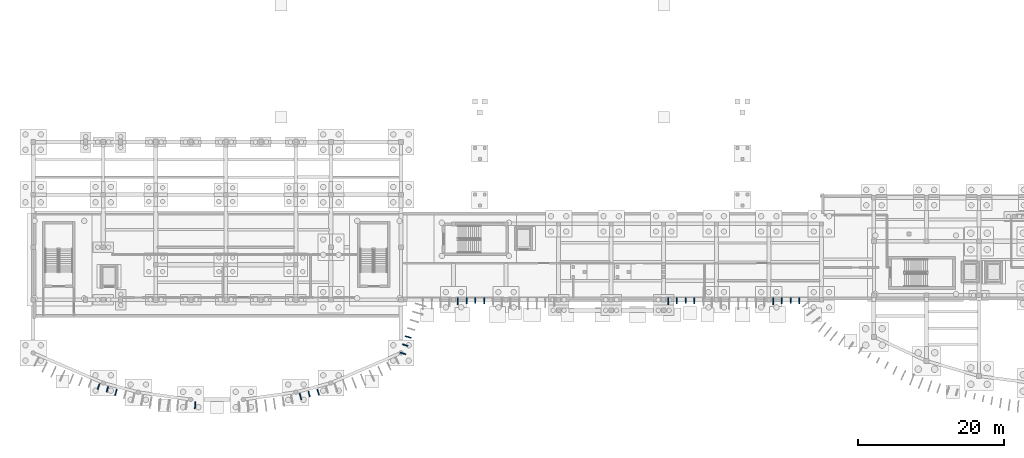
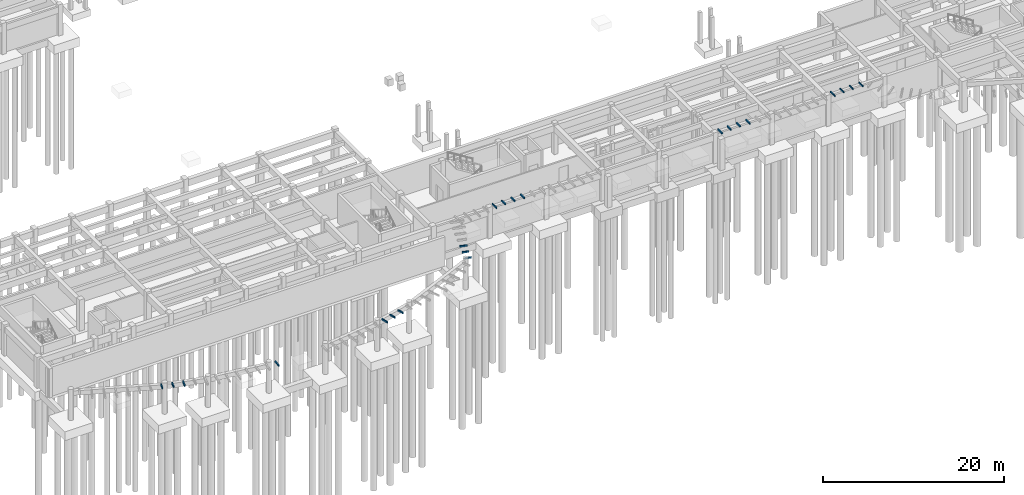
# One storey, part 23 of 31: 22 discrete accessories.
"""IFC4 building model written with IfcOpenShell, lengths in metres."""

import ifcopenshell
import ifcopenshell.guid

model = None  # the IFC model being written
_history = None  # IfcOwnerHistory: only IFC2X3 demands one
_inside = {}  # id of a spatial element -> (the spatial element, [elements in it])
_under = {}  # id of a project, library or spatial element -> (it, [spatial elements below it])
_declared = {}  # id of a project -> (the project, [libraries it declares])
_typed = {}  # id of a type object -> (the type object, [elements of that type])
_made_of = {}  # id of a material, layer set ... -> (it, [elements and type objects made of it])


def new_model(schema):
    """Start an empty IFC model of exactly this schema.

    Asked for "IFC4X3", IfcOpenShell would pick the latest addendum, in which some entities
    have other attributes; the version numbers below select the first issue.
    IFC2X3 requires an IfcOwnerHistory on every rooted entity: one is made here for all.
    """
    global model, _history
    if schema == "IFC4X3":
        model = ifcopenshell.file(schema_version=(4, 3, 0, 0))
    else:
        model = ifcopenshell.file(schema=schema)
    _inside.clear()
    _under.clear()
    _declared.clear()
    _typed.clear()
    _made_of.clear()
    _history = None
    if model.schema == "IFC2X3":
        org = make("IfcOrganization", Name="unknown")
        user = make(
            "IfcPersonAndOrganization",
            ThePerson=make("IfcPerson", FamilyName="unknown"),
            TheOrganization=org,
        )
        app = make(
            "IfcApplication",
            ApplicationDeveloper=org,
            Version="unknown",
            ApplicationFullName="unknown",
            ApplicationIdentifier="unknown",
        )
        _history = make(
            "IfcOwnerHistory",
            OwningUser=user,
            OwningApplication=app,
            ChangeAction="ADDED",
            CreationDate=0,
        )
    return model


def make(cls, **values):
    """One entity of the class cls with the attributes given. An attribute that is None is left unset."""
    return model.create_entity(
        cls, **{name: value for name, value in values.items() if value is not None}
    )


def rooted(cls, **values):
    """An entity with a GlobalId (a new one), such as an element, a storey or a relation."""
    return make(cls, GlobalId=ifcopenshell.guid.new(), OwnerHistory=_history, **values)


def si_unit(unit_type, name, prefix=None):
    """IfcSIUnit, for example si_unit("LENGTHUNIT", "METRE", prefix="MILLI")."""
    return make("IfcSIUnit", UnitType=unit_type, Prefix=prefix, Name=name)


def assignment(units):
    """IfcUnitAssignment: the units of a project."""
    return None if units is None else make("IfcUnitAssignment", Units=units)


def point(xyz):
    """IfcCartesianPoint."""
    return None if xyz is None else make("IfcCartesianPoint", Coordinates=xyz)


def direction(xyz):
    """IfcDirection."""
    return None if xyz is None else make("IfcDirection", DirectionRatios=xyz)


def frame(location, z_axis=None, x_axis=None):
    """IfcAxis2Placement3D, a coordinate frame: its origin and axes. An axis left out is left unset."""
    return make(
        "IfcAxis2Placement3D",
        Location=point(location),
        Axis=direction(z_axis),
        RefDirection=direction(x_axis),
    )


def frame_2d(location, x_axis=None):
    """IfcAxis2Placement2D, a coordinate frame in the plane: its origin and x axis."""
    return make(
        "IfcAxis2Placement2D", Location=point(location), RefDirection=direction(x_axis)
    )


def origin():
    """The frame at (0, 0, 0) with its axes left unset."""
    return frame((0.0, 0.0, 0.0))


def origin_2d():
    """The frame at (0, 0) in the plane with its x axis left unset."""
    return frame_2d((0.0, 0.0))


def place(relative_to, where):
    """IfcLocalPlacement: puts the frame where relative to a parent placement (None: the world)."""
    return make(
        "IfcLocalPlacement", PlacementRelTo=relative_to, RelativePlacement=where
    )


def context(
    kind, dimensions, precision=None, world=None, true_north=None, identifier=None
):
    """IfcGeometricRepresentationContext, for example the 3D "Model" context."""
    return make(
        "IfcGeometricRepresentationContext",
        ContextIdentifier=identifier,
        ContextType=kind,
        CoordinateSpaceDimension=dimensions,
        Precision=precision,
        WorldCoordinateSystem=world,
        TrueNorth=true_north,
    )


def subcontext(parent, identifier, kind, view, scale=None):
    """IfcGeometricRepresentationSubContext, for example "Body" below "Model"."""
    return make(
        "IfcGeometricRepresentationSubContext",
        ContextIdentifier=identifier,
        ContextType=kind,
        ParentContext=parent,
        TargetScale=scale,
        TargetView=view,
    )


def project(units=None, contexts=None):
    """IfcProject with its units and contexts."""
    return rooted(
        "IfcProject",
        Name="project",
        RepresentationContexts=contexts,
        UnitsInContext=assignment(units),
    )


def spatial(cls, under=None, at=None, **own):
    """A site, building, storey or space (cls), placed at a placement, below another one or the project."""
    s = rooted(cls, ObjectPlacement=at, **own)
    if under is not None:
        _under.setdefault(under.id(), (under, []))[1].append(s)
    return s


def profile(cls, at=None, kind="AREA", **sizes):
    """A parametric profile (cls). Its sizes go by their IFC names, for example OverallWidth=200.0."""
    return make(cls, ProfileType=kind, Position=at, **sizes)


def rectangle(**sizes):
    """IfcRectangleProfileDef."""
    return profile("IfcRectangleProfileDef", **sizes)


def extrude(swept, where, along, depth):
    """IfcExtrudedAreaSolid: the profile swept, set in the frame where, extruded along a direction by depth."""
    return make(
        "IfcExtrudedAreaSolid",
        SweptArea=swept,
        Position=where,
        ExtrudedDirection=direction(along),
        Depth=depth,
    )


def shape(context_of_items, identifier, shape_type, items):
    """IfcShapeRepresentation: the items that make up one representation, for example the "Body"."""
    return make(
        "IfcShapeRepresentation",
        ContextOfItems=context_of_items,
        RepresentationIdentifier=identifier,
        RepresentationType=shape_type,
        Items=items,
    )


def material(Name=None, Category=None):
    """IfcMaterial."""
    return make("IfcMaterial", Name=Name, Category=Category)


def made_of(thing, what):
    """Note that an element or type object is made of a material, layer set ...; save() writes the relation."""
    if what is not None:
        _made_of.setdefault(what.id(), (what, []))[1].append(thing)
    return thing


def type_object(cls, material=None, **own):
    """A type object (cls), such as IfcWallType, which elements share."""
    return made_of(rooted(cls, **own), material)


def element(
    cls,
    number,
    at=None,
    inside=None,
    cuts=None,
    type_object=None,
    material=None,
    context=None,
    identifier="Body",
    shape_type=None,
    held_by="IfcProductDefinitionShape",
    body=None,
    shapes=None,
    **own,
):
    """One element of the class cls, such as IfcWall. Its Tag is "e" and its number.

    at: its placement. inside: the storey or other place that contains it. cuts: it is an
    opening in that element (IfcRelVoidsElement). A single representation is given by context,
    identifier, shape_type and body (its items); several are given by shapes. held_by: the class
    of the entity that holds the representations. save() writes the other relations.
    """
    e = rooted(cls, Tag="e%d" % number, ObjectPlacement=at, **own)
    if body is not None:
        shapes = [shape(context, identifier, shape_type, body)]
    if shapes is not None:
        e.Representation = make(held_by, Representations=shapes)
    if inside is not None:
        _inside.setdefault(inside.id(), (inside, []))[1].append(e)
    if cuts is not None:
        rooted(
            "IfcRelVoidsElement", RelatingBuildingElement=cuts, RelatedOpeningElement=e
        )
    if type_object is not None:
        _typed.setdefault(type_object.id(), (type_object, []))[1].append(e)
    return made_of(e, material)


def aggregate(whole, parts):
    """IfcRelAggregates: a whole, such as a stair, and the parts it consists of."""
    return rooted("IfcRelAggregates", RelatingObject=whole, RelatedObjects=parts)


def save(model, path):
    """Write the relations noted so far, then the file.

    IfcRelAggregates (storeys below a building ...), IfcRelContainedInSpatialStructure (elements
    in a storey), IfcRelDefinesByType, IfcRelAssociatesMaterial and IfcRelDeclares: one each for
    every whole, place, type object, material and project.
    """
    for whole, parts in _under.values():
        aggregate(whole, parts)
    for where, things in _inside.values():
        rooted(
            "IfcRelContainedInSpatialStructure",
            RelatedElements=things,
            RelatingStructure=where,
        )
    for kind, things in _typed.values():
        rooted("IfcRelDefinesByType", RelatedObjects=things, RelatingType=kind)
    for what, things in _made_of.values():
        rooted("IfcRelAssociatesMaterial", RelatedObjects=things, RelatingMaterial=what)
    for by, libraries in _declared.values():
        rooted("IfcRelDeclares", RelatingContext=by, RelatedDefinitions=libraries)
    model.write(path)


model = new_model("IFC4")

# Units and contexts
model_context = context("Model", 3, precision=1e-05, world=origin(), true_north=direction((0.0, 1.0)))
body_context = subcontext(model_context, "Body", "Model", "MODEL_VIEW")
ifc_project = project(units=[si_unit("LENGTHUNIT", "METRE"), si_unit("AREAUNIT", "SQUARE_METRE"), si_unit("VOLUMEUNIT", "CUBIC_METRE"), si_unit("PLANEANGLEUNIT", "RADIAN"), si_unit("MASSUNIT", "GRAM", prefix="KILO")], contexts=[model_context])

# Site, building, storey
site_placement = place(None, origin())
site = spatial("IfcSite", under=ifc_project, at=site_placement, CompositionType="ELEMENT")
building_placement = place(site_placement, origin())
building = spatial("IfcBuilding", under=site, at=building_placement, Name="Brisavento Harbour Community Centre", CompositionType="ELEMENT")
storey_placement = place(building_placement, frame((0.0, 0.0, -4.199951171875)))
storey = spatial("IfcBuildingStorey", under=building, at=storey_placement, Name="B1", CompositionType="ELEMENT", Elevation=-4.199951171875)

# Discrete accessories
ifc_material = material(Name="Stainless steel 1.4401", Category="steel")
discrete_accessory_type = type_object("IfcDiscreteAccessoryType", Name="BRK-FIN-SS", PredefinedType="BRACKET", material=ifc_material)
discrete_accessory_1_placement = place(storey_placement, frame((8.96484375, 2.4970703125, 3.97998046875), z_axis=(0.0, 0.0, 1.0), x_axis=(-0.323174264667, -0.94633947115, 0.0)))
element("IfcDiscreteAccessory", 1, at=discrete_accessory_1_placement, inside=storey, type_object=discrete_accessory_type, Name="Stainless-steel storm-fin bracket 008.1", PredefinedType="BRACKET", context=body_context, shape_type="SweptSolid", body=[
    extrude(rectangle(XDim=0.817626953125, YDim=0.139892578125, at=origin_2d()), origin(), (0.0, 0.0, 1.0), 0.199951171875),
])
discrete_accessory_2_placement = place(storey_placement, frame((10.174560546875, 2.134033203125, 3.97998046875), z_axis=(0.0, 0.0, 1.0), x_axis=(-0.276996031628, -0.96087106235, 0.0)))
element("IfcDiscreteAccessory", 2, at=discrete_accessory_2_placement, inside=storey, type_object=discrete_accessory_type, Name="Stainless-steel storm-fin bracket 009.1", PredefinedType="BRACKET", context=body_context, shape_type="SweptSolid", body=[
    extrude(rectangle(XDim=0.783203125, YDim=0.139892578125, at=origin_2d()), origin(), (0.0, 0.0, 1.0), 0.199951171875),
])
discrete_accessory_3_placement = place(storey_placement, frame((11.3623046875, 1.74560546875, 3.97998046875), z_axis=(0.0, 0.0, 1.0), x_axis=(-0.276996031628, -0.96087106235, 0.0)))
element("IfcDiscreteAccessory", 3, at=discrete_accessory_3_placement, inside=storey, type_object=discrete_accessory_type, Name="Stainless-steel storm-fin bracket 010.1", PredefinedType="BRACKET", context=body_context, shape_type="SweptSolid", body=[
    extrude(rectangle(XDim=0.8720703125, YDim=0.139892578125, at=origin_2d()), origin(), (0.0, 0.0, 1.0), 0.199951171875),
])
discrete_accessory_4_placement = place(storey_placement, frame((22.192626953125, -0.0615234375, 3.97998046875), z_axis=(0.0, 0.0, 1.0), x_axis=(-0.0461649984, -0.9989338281, 0.0)))
element("IfcDiscreteAccessory", 4, at=discrete_accessory_4_placement, inside=storey, type_object=discrete_accessory_type, Name="Stainless-steel storm-fin bracket 019.1", PredefinedType="BRACKET", context=body_context, shape_type="SweptSolid", body=[
    extrude(rectangle(XDim=0.917236328125, YDim=0.139892578125, at=origin_2d()), origin(), (0.0, 0.0, 1.0), 0.199951171875),
])
discrete_accessory_5_placement = place(storey_placement, frame((36.63525390625, 1.128173828125, 3.97998046875), z_axis=(0.0, 0.0, 1.0), x_axis=(0.230830981037, -0.972993863389, 0.0)))
element("IfcDiscreteAccessory", 5, at=discrete_accessory_5_placement, inside=storey, type_object=discrete_accessory_type, Name="Stainless-steel storm-fin bracket 027.1", PredefinedType="BRACKET", context=body_context, shape_type="SweptSolid", body=[
    extrude(rectangle(XDim=0.904541015625, YDim=0.139892578125, at=origin_2d()), origin(), (0.0, 0.0, 1.0), 0.199951171875),
])
discrete_accessory_6_placement = place(storey_placement, frame((37.822265625, 1.467041015625, 3.97998046875), z_axis=(0.0, 0.0, 1.0), x_axis=(0.230830981037, -0.972993863389, 0.0)))
element("IfcDiscreteAccessory", 6, at=discrete_accessory_6_placement, inside=storey, type_object=discrete_accessory_type, Name="Stainless-steel storm-fin bracket 028.1", PredefinedType="BRACKET", context=body_context, shape_type="SweptSolid", body=[
    extrude(rectangle(XDim=0.79296875, YDim=0.139892578125, at=origin_2d()), origin(), (0.0, 0.0, 1.0), 0.199951171875),
])
discrete_accessory_7_placement = place(storey_placement, frame((39.02734375, 1.781005859375, 3.97998046875), z_axis=(0.0, 0.0, 1.0), x_axis=(0.276996031628, -0.96087106235, 0.0)))
element("IfcDiscreteAccessory", 7, at=discrete_accessory_7_placement, inside=storey, type_object=discrete_accessory_type, Name="Stainless-steel storm-fin bracket 029.1", PredefinedType="BRACKET", context=body_context, shape_type="SweptSolid", body=[
    extrude(rectangle(XDim=0.79833984375, YDim=0.139892578125, at=origin_2d()), origin(), (0.0, 0.0, 1.0), 0.199951171875),
])
discrete_accessory_8_placement = place(storey_placement, frame((50.669921875, 7.047607421875, 3.97998046875), z_axis=(0.0, 0.0, 1.0), x_axis=(0.956676487643, -0.291153049083, 0.0)))
element("IfcDiscreteAccessory", 8, at=discrete_accessory_8_placement, inside=storey, type_object=discrete_accessory_type, Name="Stainless-steel storm-fin bracket 039.1", PredefinedType="BRACKET", context=body_context, shape_type="SweptSolid", body=[
    extrude(rectangle(XDim=0.8056640625, YDim=0.139892578125, at=origin_2d()), origin(), (0.0, 0.0, 1.0), 0.199951171875),
])
discrete_accessory_9_placement = place(storey_placement, frame((51.003173828125, 8.177001953125, 3.97998046875), z_axis=(0.0, 0.0, 1.0), x_axis=(0.956676487643, -0.291153049083, 0.0)))
element("IfcDiscreteAccessory", 9, at=discrete_accessory_9_placement, inside=storey, type_object=discrete_accessory_type, Name="Stainless-steel storm-fin bracket 040.1", PredefinedType="BRACKET", context=body_context, shape_type="SweptSolid", body=[
    extrude(rectangle(XDim=0.78564453125, YDim=0.139892578125, at=origin_2d()), origin(), (0.0, 0.0, 1.0), 0.199951171875),
])
discrete_accessory_10_placement = place(storey_placement, frame((51.38818359375, 9.290771484375, 3.97998046875), z_axis=(0.0, 0.0, 1.0), x_axis=(0.956676487643, -0.291153049083, 0.0)))
element("IfcDiscreteAccessory", 10, at=discrete_accessory_10_placement, inside=storey, type_object=discrete_accessory_type, Name="Stainless-steel storm-fin bracket 041.1", PredefinedType="BRACKET", context=body_context, shape_type="SweptSolid", body=[
    extrude(rectangle(XDim=0.874267578125, YDim=0.139892578125, at=origin_2d()), origin(), (0.0, 0.0, 1.0), 0.199951171875),
])
discrete_accessory_11_placement = place(storey_placement, frame((58.199951171875, 14.223388671875, 3.97998046875), z_axis=(0.0, 0.0, 1.0), x_axis=(0.0, -1.0, 0.0)))
element("IfcDiscreteAccessory", 11, at=discrete_accessory_11_placement, inside=storey, type_object=discrete_accessory_type, Name="Stainless-steel storm-fin bracket 050.1", PredefinedType="BRACKET", context=body_context, shape_type="SweptSolid", body=[
    extrude(rectangle(XDim=0.953125, YDim=0.139892578125, at=origin_2d()), origin(), (0.0, 0.0, 1.0), 0.199951171875),
])
discrete_accessory_12_placement = place(storey_placement, frame((59.39990234375, 14.292236328125, 3.97998046875), z_axis=(0.0, 0.0, 1.0), x_axis=(0.0, -1.0, 0.0)))
element("IfcDiscreteAccessory", 12, at=discrete_accessory_12_placement, inside=storey, type_object=discrete_accessory_type, Name="Stainless-steel storm-fin bracket 051.1", PredefinedType="BRACKET", context=body_context, shape_type="SweptSolid", body=[
    extrude(rectangle(XDim=0.815673828125, YDim=0.139892578125, at=origin_2d()), origin(), (0.0, 0.0, 1.0), 0.199951171875),
])
discrete_accessory_13_placement = place(storey_placement, frame((60.60009765625, 14.30859375, 3.97998046875), z_axis=(0.0, 0.0, 1.0), x_axis=(0.0, -1.0, 0.0)))
element("IfcDiscreteAccessory", 13, at=discrete_accessory_13_placement, inside=storey, type_object=discrete_accessory_type, Name="Stainless-steel storm-fin bracket 052.1", PredefinedType="BRACKET", context=body_context, shape_type="SweptSolid", body=[
    extrude(rectangle(XDim=0.78271484375, YDim=0.139892578125, at=origin_2d()), origin(), (0.0, 0.0, 1.0), 0.199951171875),
])
discrete_accessory_14_placement = place(storey_placement, frame((61.800048828125, 14.2685546875, 3.97998046875), z_axis=(0.0, 0.0, 1.0), x_axis=(0.0, -1.0, 0.0)))
element("IfcDiscreteAccessory", 14, at=discrete_accessory_14_placement, inside=storey, type_object=discrete_accessory_type, Name="Stainless-steel storm-fin bracket 053.1", PredefinedType="BRACKET", context=body_context, shape_type="SweptSolid", body=[
    extrude(rectangle(XDim=0.86279296875, YDim=0.139892578125, at=origin_2d()), origin(), (0.0, 0.0, 1.0), 0.199951171875),
])
discrete_accessory_15_placement = place(storey_placement, frame((87.0, 14.223388671875, 3.97998046875), z_axis=(0.0, 0.0, 1.0), x_axis=(0.0, -1.0, 0.0)))
element("IfcDiscreteAccessory", 15, at=discrete_accessory_15_placement, inside=storey, type_object=discrete_accessory_type, Name="Stainless-steel storm-fin bracket 074.1", PredefinedType="BRACKET", context=body_context, shape_type="SweptSolid", body=[
    extrude(rectangle(XDim=0.953125, YDim=0.139892578125, at=origin_2d()), origin(), (0.0, 0.0, 1.0), 0.199951171875),
])
discrete_accessory_16_placement = place(storey_placement, frame((88.199951171875, 14.292236328125, 3.97998046875), z_axis=(0.0, 0.0, 1.0), x_axis=(0.0, -1.0, 0.0)))
element("IfcDiscreteAccessory", 16, at=discrete_accessory_16_placement, inside=storey, type_object=discrete_accessory_type, Name="Stainless-steel storm-fin bracket 075.1", PredefinedType="BRACKET", context=body_context, shape_type="SweptSolid", body=[
    extrude(rectangle(XDim=0.815673828125, YDim=0.139892578125, at=origin_2d()), origin(), (0.0, 0.0, 1.0), 0.199951171875),
])
discrete_accessory_17_placement = place(storey_placement, frame((89.39990234375, 14.30859375, 3.97998046875), z_axis=(0.0, 0.0, 1.0), x_axis=(0.0, -1.0, 0.0)))
element("IfcDiscreteAccessory", 17, at=discrete_accessory_17_placement, inside=storey, type_object=discrete_accessory_type, Name="Stainless-steel storm-fin bracket 076.1", PredefinedType="BRACKET", context=body_context, shape_type="SweptSolid", body=[
    extrude(rectangle(XDim=0.78271484375, YDim=0.139892578125, at=origin_2d()), origin(), (0.0, 0.0, 1.0), 0.199951171875),
])
discrete_accessory_18_placement = place(storey_placement, frame((90.60009765625, 14.2685546875, 3.97998046875), z_axis=(0.0, 0.0, 1.0), x_axis=(0.0, -1.0, 0.0)))
element("IfcDiscreteAccessory", 18, at=discrete_accessory_18_placement, inside=storey, type_object=discrete_accessory_type, Name="Stainless-steel storm-fin bracket 077.1", PredefinedType="BRACKET", context=body_context, shape_type="SweptSolid", body=[
    extrude(rectangle(XDim=0.86279296875, YDim=0.139892578125, at=origin_2d()), origin(), (0.0, 0.0, 1.0), 0.199951171875),
])
discrete_accessory_19_placement = place(storey_placement, frame((101.39990234375, 14.223388671875, 3.97998046875), z_axis=(0.0, 0.0, 1.0), x_axis=(0.0, -1.0, 0.0)))
element("IfcDiscreteAccessory", 19, at=discrete_accessory_19_placement, inside=storey, type_object=discrete_accessory_type, Name="Stainless-steel storm-fin bracket 086.1", PredefinedType="BRACKET", context=body_context, shape_type="SweptSolid", body=[
    extrude(rectangle(XDim=0.953125, YDim=0.139892578125, at=origin_2d()), origin(), (0.0, 0.0, 1.0), 0.199951171875),
])
discrete_accessory_20_placement = place(storey_placement, frame((102.60009765625, 14.292236328125, 3.97998046875), z_axis=(0.0, 0.0, 1.0), x_axis=(0.0, -1.0, 0.0)))
element("IfcDiscreteAccessory", 20, at=discrete_accessory_20_placement, inside=storey, type_object=discrete_accessory_type, Name="Stainless-steel storm-fin bracket 087.1", PredefinedType="BRACKET", context=body_context, shape_type="SweptSolid", body=[
    extrude(rectangle(XDim=0.815673828125, YDim=0.139892578125, at=origin_2d()), origin(), (0.0, 0.0, 1.0), 0.199951171875),
])
discrete_accessory_21_placement = place(storey_placement, frame((103.800048828125, 14.30859375, 3.97998046875), z_axis=(0.0, 0.0, 1.0), x_axis=(0.0, -1.0, 0.0)))
element("IfcDiscreteAccessory", 21, at=discrete_accessory_21_placement, inside=storey, type_object=discrete_accessory_type, Name="Stainless-steel storm-fin bracket 088.1", PredefinedType="BRACKET", context=body_context, shape_type="SweptSolid", body=[
    extrude(rectangle(XDim=0.78271484375, YDim=0.139892578125, at=origin_2d()), origin(), (0.0, 0.0, 1.0), 0.199951171875),
])
discrete_accessory_22_placement = place(storey_placement, frame((105.0, 14.2685546875, 3.97998046875), z_axis=(0.0, 0.0, 1.0), x_axis=(0.0, -1.0, 0.0)))
element("IfcDiscreteAccessory", 22, at=discrete_accessory_22_placement, inside=storey, type_object=discrete_accessory_type, Name="Stainless-steel storm-fin bracket 089.1", PredefinedType="BRACKET", context=body_context, shape_type="SweptSolid", body=[
    extrude(rectangle(XDim=0.86279296875, YDim=0.139892578125, at=origin_2d()), origin(), (0.0, 0.0, 1.0), 0.199951171875),
])

save(model, "model.ifc")
